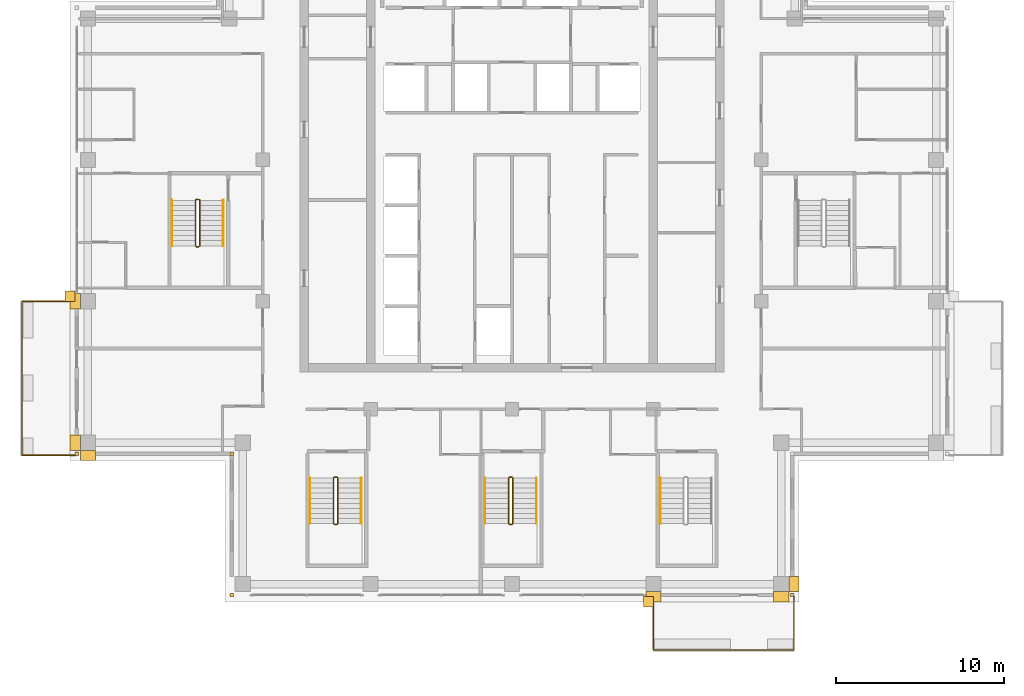
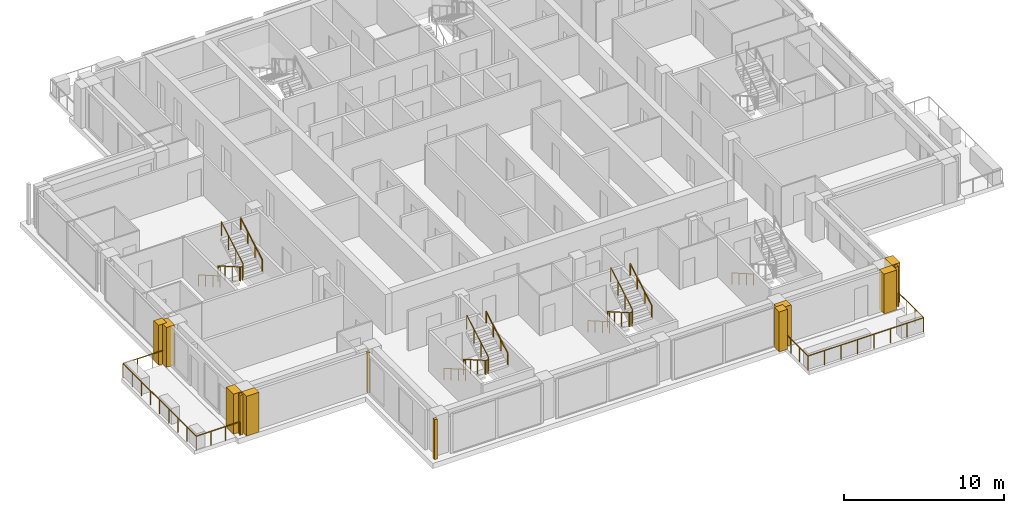
# One storey, part 16 of 18: 12 coverings, 12 railings.
"""IFC4 building model written with IfcOpenShell, lengths in metres."""

from ifc_helpers import new_model, si_unit, direction, frame, origin, origin_2d, place, context, subcontext, project, spatial, polyline, rectangle, outline, extrude, material, type_object, element, save


model = new_model("IFC4")

# Units and contexts
model_context = context("Model", 3, precision=1e-05, world=origin(), true_north=direction((0.0, 1.0)))
body_context = subcontext(model_context, "Body", "Model", "MODEL_VIEW")
ifc_project = project(units=[si_unit("LENGTHUNIT", "METRE"), si_unit("AREAUNIT", "SQUARE_METRE"), si_unit("VOLUMEUNIT", "CUBIC_METRE"), si_unit("PLANEANGLEUNIT", "RADIAN"), si_unit("MASSUNIT", "GRAM", prefix="KILO")], contexts=[model_context])

# Site, building, storey
site_placement = place(None, origin())
site = spatial("IfcSite", under=ifc_project, at=site_placement, CompositionType="ELEMENT")
building_placement = place(site_placement, origin())
building = spatial("IfcBuilding", under=site, at=building_placement, Name="Vermilion Ogive Tower", CompositionType="ELEMENT")
storey_placement = place(building_placement, frame((0.0, 0.0, 230.35009765625)))
storey = spatial("IfcBuildingStorey", under=building, at=storey_placement, Name="L60", CompositionType="ELEMENT", Elevation=230.35009765625)

# Railings
ifc_material_1 = material(Name="Stainless steel and glass", Category="steel")
railing_type_1 = type_object("IfcRailingType", Name="Balcony guard", PredefinedType="GUARDRAIL", material=ifc_material_1)
railing_1_placement = place(storey_placement, frame((8.39990234375, -21.75, -0.0400390625)))
element("IfcRailing", 1, at=railing_1_placement, inside=storey, type_object=railing_type_1, Name="Guard S04", PredefinedType="GUARDRAIL", context=body_context, shape_type="SweptSolid", body=[
    extrude(rectangle(XDim=0.048095703125, YDim=0.048095703125, at=origin_2d()), frame((0.0, 0.0, 1.076171875), z_axis=(0.0, -1.0, 0.0), x_axis=(1.0, 0.0, 0.0)), (0.0, 0.0, 1.0), 3.159912109375),
    extrude(rectangle(XDim=0.048095703125, YDim=0.048095703125, at=origin_2d()), frame((0.0, -3.159912109375, 1.076171875), z_axis=(1.0, 0.0, 0.0), x_axis=(0.0, 1.0, 0.0)), (0.0, 0.0, 1.0), 8.35009765625),
    extrude(rectangle(XDim=0.048095703125, YDim=0.048095703125, at=origin_2d()), frame((8.35009765625, -3.159912109375, 1.076171875), z_axis=(0.0, 1.0, 0.0), x_axis=(-1.0, 0.0, 0.0)), (0.0, 0.0, 1.0), 3.159912109375),
    extrude(rectangle(XDim=0.0419921875, YDim=0.0419921875, at=origin_2d()), origin(), (0.0, 0.0, 1.0), 1.052001953125),
    extrude(rectangle(XDim=0.0419921875, YDim=0.0419921875, at=origin_2d()), frame((0.0, -1.05322265625, 0.0)), (0.0, 0.0, 1.0), 1.052001953125),
    extrude(rectangle(XDim=0.0419921875, YDim=0.0419921875, at=origin_2d()), frame((0.0, -2.106689453125, 0.0)), (0.0, 0.0, 1.0), 1.052001953125),
    extrude(rectangle(XDim=0.0419921875, YDim=0.0419921875, at=origin_2d()), frame((0.0, -3.159912109375, 0.0)), (0.0, 0.0, 1.0), 1.052001953125),
    extrude(rectangle(XDim=0.0419921875, YDim=0.0419921875, at=origin_2d()), frame((1.19287109375, -3.159912109375, 0.0)), (0.0, 0.0, 1.0), 1.052001953125),
    extrude(rectangle(XDim=0.0419921875, YDim=0.0419921875, at=origin_2d()), frame((2.3857421875, -3.159912109375, 0.0)), (0.0, 0.0, 1.0), 1.052001953125),
    extrude(rectangle(XDim=0.0419921875, YDim=0.0419921875, at=origin_2d()), frame((3.57861328125, -3.159912109375, 0.0)), (0.0, 0.0, 1.0), 1.052001953125),
    extrude(rectangle(XDim=0.0419921875, YDim=0.0419921875, at=origin_2d()), frame((4.771484375, -3.159912109375, 0.0)), (0.0, 0.0, 1.0), 1.052001953125),
    extrude(rectangle(XDim=0.0419921875, YDim=0.0419921875, at=origin_2d()), frame((5.96435546875, -3.159912109375, 0.0)), (0.0, 0.0, 1.0), 1.052001953125),
    extrude(rectangle(XDim=0.0419921875, YDim=0.0419921875, at=origin_2d()), frame((7.1572265625, -3.159912109375, 0.0)), (0.0, 0.0, 1.0), 1.052001953125),
    extrude(rectangle(XDim=0.0419921875, YDim=0.0419921875, at=origin_2d()), frame((8.35009765625, -3.159912109375, 0.0)), (0.0, 0.0, 1.0), 1.052001953125),
    extrude(rectangle(XDim=0.0419921875, YDim=0.0419921875, at=origin_2d()), frame((8.35009765625, -2.106689453125, 0.0)), (0.0, 0.0, 1.0), 1.052001953125),
    extrude(rectangle(XDim=0.0419921875, YDim=0.0419921875, at=origin_2d()), frame((8.35009765625, -1.05322265625, 0.0)), (0.0, 0.0, 1.0), 1.052001953125),
    extrude(rectangle(XDim=0.0419921875, YDim=0.0419921875, at=origin_2d()), frame((8.35009765625, 0.0, 0.0)), (0.0, 0.0, 1.0), 1.052001953125),
])
railing_2_placement = place(storey_placement, frame((-25.949951171875, -4.199951171875, -0.0400390625)))
element("IfcRailing", 2, at=railing_2_placement, inside=storey, type_object=railing_type_1, Name="Guard W03", PredefinedType="GUARDRAIL", context=body_context, shape_type="SweptSolid", body=[
    extrude(rectangle(XDim=0.048095703125, YDim=0.048095703125, at=origin_2d()), frame((0.0, 0.0, 1.076171875), z_axis=(-1.0, 0.0, 0.0), x_axis=(0.0, -1.0, 0.0)), (0.0, 0.0, 1.0), 3.16015625),
    extrude(rectangle(XDim=0.048095703125, YDim=0.048095703125, at=origin_2d()), frame((-3.16015625, 0.0, 1.076171875), z_axis=(0.0, -1.0, 0.0), x_axis=(1.0, 0.0, 0.0)), (0.0, 0.0, 1.0), 9.150146484375),
    extrude(rectangle(XDim=0.048095703125, YDim=0.048095703125, at=origin_2d()), frame((-3.16015625, -9.150146484375, 1.076171875), z_axis=(1.0, 0.0, 0.0), x_axis=(0.0, 1.0, 0.0)), (0.0, 0.0, 1.0), 3.16015625),
    extrude(rectangle(XDim=0.0419921875, YDim=0.0419921875, at=origin_2d()), origin(), (0.0, 0.0, 1.0), 1.052001953125),
    extrude(rectangle(XDim=0.0419921875, YDim=0.0419921875, at=origin_2d()), frame((-1.053466796875, 0.0, 0.0)), (0.0, 0.0, 1.0), 1.052001953125),
    extrude(rectangle(XDim=0.0419921875, YDim=0.0419921875, at=origin_2d()), frame((-2.106689453125, 0.0, 0.0)), (0.0, 0.0, 1.0), 1.052001953125),
    extrude(rectangle(XDim=0.0419921875, YDim=0.0419921875, at=origin_2d()), frame((-3.16015625, 0.0, 0.0)), (0.0, 0.0, 1.0), 1.052001953125),
    extrude(rectangle(XDim=0.0419921875, YDim=0.0419921875, at=origin_2d()), frame((-3.16015625, -1.143798828125, 0.0)), (0.0, 0.0, 1.0), 1.052001953125),
    extrude(rectangle(XDim=0.0419921875, YDim=0.0419921875, at=origin_2d()), frame((-3.16015625, -2.28759765625, 0.0)), (0.0, 0.0, 1.0), 1.052001953125),
    extrude(rectangle(XDim=0.0419921875, YDim=0.0419921875, at=origin_2d()), frame((-3.16015625, -3.431396484375, 0.0)), (0.0, 0.0, 1.0), 1.052001953125),
    extrude(rectangle(XDim=0.0419921875, YDim=0.0419921875, at=origin_2d()), frame((-3.16015625, -4.5751953125, 0.0)), (0.0, 0.0, 1.0), 1.052001953125),
    extrude(rectangle(XDim=0.0419921875, YDim=0.0419921875, at=origin_2d()), frame((-3.16015625, -5.71875, 0.0)), (0.0, 0.0, 1.0), 1.052001953125),
    extrude(rectangle(XDim=0.0419921875, YDim=0.0419921875, at=origin_2d()), frame((-3.16015625, -6.862548828125, 0.0)), (0.0, 0.0, 1.0), 1.052001953125),
    extrude(rectangle(XDim=0.0419921875, YDim=0.0419921875, at=origin_2d()), frame((-3.16015625, -8.00634765625, 0.0)), (0.0, 0.0, 1.0), 1.052001953125),
    extrude(rectangle(XDim=0.0419921875, YDim=0.0419921875, at=origin_2d()), frame((-3.16015625, -9.150146484375, 0.0)), (0.0, 0.0, 1.0), 1.052001953125),
    extrude(rectangle(XDim=0.0419921875, YDim=0.0419921875, at=origin_2d()), frame((-2.106689453125, -9.150146484375, 0.0)), (0.0, 0.0, 1.0), 1.052001953125),
    extrude(rectangle(XDim=0.0419921875, YDim=0.0419921875, at=origin_2d()), frame((-1.053466796875, -9.150146484375, 0.0)), (0.0, 0.0, 1.0), 1.052001953125),
    extrude(rectangle(XDim=0.0419921875, YDim=0.0419921875, at=origin_2d()), frame((0.0, -9.150146484375, 0.0)), (0.0, 0.0, 1.0), 1.052001953125),
])
ifc_material_2 = material(Name="Steel S355 painted", Category="steel")
railing_type_2 = type_object("IfcRailingType", Name="Stair guard 1100", PredefinedType="GUARDRAIL", material=ifc_material_2)
railing_3_placement = place(storey_placement, frame((-10.39990234375, -14.64990234375, 0.0)))
element("IfcRailing", 3, at=railing_3_placement, inside=storey, type_object=railing_type_2, Name="L60 ST3 stair guard 4", PredefinedType="GUARDRAIL", context=body_context, shape_type="SweptSolid", body=[
    extrude(rectangle(XDim=0.048095703125, YDim=0.048095703125, at=origin_2d()), frame((0.0, 0.0, 1.076171875), z_axis=(-1.0, 0.0, 0.0), x_axis=(0.0, -1.0, 0.0)), (0.0, 0.0, 1.0), 0.150146484375),
    extrude(rectangle(XDim=0.048095703125, YDim=0.048095703125, at=origin_2d()), frame((-0.150146484375, 0.0, 1.076171875), z_axis=(-0.268603158521, -0.268603158521, 0.925043072762), x_axis=(0.707106781187, -0.707106781187, 0.0)), (0.0, 0.0, 1.0), 0.186279296875),
    extrude(rectangle(XDim=0.048095703125, YDim=0.048095703125, at=origin_2d()), frame((-0.2001953125, -0.050048828125, 1.24853515625), z_axis=(0.0, -0.866903762492, 0.498475542607), x_axis=(1.0, 0.0, 0.0)), (0.0, 0.0, 1.0), 3.114501953125),
    extrude(rectangle(XDim=0.048095703125, YDim=0.048095703125, at=origin_2d()), frame((-0.2001953125, -2.75, 2.80078125), z_axis=(0.707106781187, -0.707106781187, 0.0), x_axis=(0.707106781187, 0.707106781187, 0.0)), (0.0, 0.0, 1.0), 0.07080078125),
    extrude(rectangle(XDim=0.048095703125, YDim=0.048095703125, at=origin_2d()), frame((-0.150146484375, -2.800048828125, 2.80078125), z_axis=(1.0, 0.0, 0.0), x_axis=(0.0, 1.0, 0.0)), (0.0, 0.0, 1.0), 0.150146484375),
    extrude(rectangle(XDim=0.048095703125, YDim=0.048095703125, at=origin_2d()), frame((0.0, -2.800048828125, 2.80078125), z_axis=(0.267062837333, 0.268371968888, 0.925556009775), x_axis=(-0.708833529934, 0.705375805398, 0.0)), (0.0, 0.0, 1.0), 0.1865234375),
    extrude(rectangle(XDim=0.048095703125, YDim=0.048095703125, at=origin_2d()), frame((0.0498046875, -2.75, 2.9736328125), z_axis=(0.0, 0.866903762492, 0.498475542607), x_axis=(-1.0, 0.0, 0.0)), (0.0, 0.0, 1.0), 3.114501953125),
    extrude(rectangle(XDim=0.0419921875, YDim=0.0419921875, at=origin_2d()), origin(), (0.0, 0.0, 1.0), 1.052001953125),
    extrude(rectangle(XDim=0.0419921875, YDim=0.0419921875, at=origin_2d()), frame((-0.150146484375, 0.0, 0.0)), (0.0, 0.0, 1.0), 1.052001953125),
    extrude(rectangle(XDim=0.0419921875, YDim=0.0419921875, at=origin_2d()), frame((-0.2001953125, -0.050048828125, 0.17236328125)), (0.0, 0.0, 1.0), 1.052001953125),
    extrude(rectangle(XDim=0.0419921875, YDim=0.0419921875, at=origin_2d()), frame((-0.2001953125, -0.949951171875, 0.68994140625)), (0.0, 0.0, 1.0), 1.052001953125),
    extrude(rectangle(XDim=0.0419921875, YDim=0.0419921875, at=origin_2d()), frame((-0.2001953125, -1.85009765625, 1.207275390625)), (0.0, 0.0, 1.0), 1.052001953125),
    extrude(rectangle(XDim=0.0419921875, YDim=0.0419921875, at=origin_2d()), frame((-0.2001953125, -2.75, 1.724853515625)), (0.0, 0.0, 1.0), 1.052001953125),
    extrude(rectangle(XDim=0.0419921875, YDim=0.0419921875, at=origin_2d()), frame((-0.150146484375, -2.800048828125, 1.724853515625)), (0.0, 0.0, 1.0), 1.052001953125),
    extrude(rectangle(XDim=0.0419921875, YDim=0.0419921875, at=origin_2d()), frame((0.0, -2.800048828125, 1.724853515625)), (0.0, 0.0, 1.0), 1.052001953125),
    extrude(rectangle(XDim=0.0419921875, YDim=0.0419921875, at=origin_2d()), frame((0.0498046875, -2.75, 1.8974609375)), (0.0, 0.0, 1.0), 1.052001953125),
    extrude(rectangle(XDim=0.0419921875, YDim=0.0419921875, at=origin_2d()), frame((0.0498046875, -1.85009765625, 2.4150390625)), (0.0, 0.0, 1.0), 1.052001953125),
    extrude(rectangle(XDim=0.0419921875, YDim=0.0419921875, at=origin_2d()), frame((0.0498046875, -0.949951171875, 2.932373046875)), (0.0, 0.0, 1.0), 1.052001953125),
    extrude(rectangle(XDim=0.0419921875, YDim=0.0419921875, at=origin_2d()), frame((0.0498046875, -0.050048828125, 3.449951171875)), (0.0, 0.0, 1.0), 1.052001953125),
])
railing_4_placement = place(storey_placement, frame((0.0, -14.64990234375, 0.0)))
element("IfcRailing", 4, at=railing_4_placement, inside=storey, type_object=railing_type_2, Name="L60 ST4 stair guard 4", PredefinedType="GUARDRAIL", context=body_context, shape_type="SweptSolid", body=[
    extrude(rectangle(XDim=0.048095703125, YDim=0.048095703125, at=origin_2d()), frame((0.0, 0.0, 1.076171875), z_axis=(-1.0, 0.0, 0.0), x_axis=(0.0, -1.0, 0.0)), (0.0, 0.0, 1.0), 0.14990234375),
    extrude(rectangle(XDim=0.048095703125, YDim=0.048095703125, at=origin_2d()), frame((-0.14990234375, 0.0, 1.076171875), z_axis=(-0.268603158521, -0.268603158521, 0.925043072762), x_axis=(0.707106781187, -0.707106781187, 0.0)), (0.0, 0.0, 1.0), 0.186279296875),
    extrude(rectangle(XDim=0.048095703125, YDim=0.048095703125, at=origin_2d()), frame((-0.199951171875, -0.050048828125, 1.24853515625), z_axis=(0.0, -0.866903762492, 0.498475542607), x_axis=(1.0, 0.0, 0.0)), (0.0, 0.0, 1.0), 3.114501953125),
    extrude(rectangle(XDim=0.048095703125, YDim=0.048095703125, at=origin_2d()), frame((-0.199951171875, -2.75, 2.80078125), z_axis=(0.707106781187, -0.707106781187, 0.0), x_axis=(0.707106781187, 0.707106781187, 0.0)), (0.0, 0.0, 1.0), 0.07080078125),
    extrude(rectangle(XDim=0.048095703125, YDim=0.048095703125, at=origin_2d()), frame((-0.14990234375, -2.800048828125, 2.80078125), z_axis=(1.0, 0.0, 0.0), x_axis=(0.0, 1.0, 0.0)), (0.0, 0.0, 1.0), 0.14990234375),
    extrude(rectangle(XDim=0.048095703125, YDim=0.048095703125, at=origin_2d()), frame((0.0, -2.800048828125, 2.80078125), z_axis=(0.268277960024, 0.268277960024, 0.925231793839), x_axis=(-0.707106781187, 0.707106781187, 0.0)), (0.0, 0.0, 1.0), 0.1865234375),
    extrude(rectangle(XDim=0.048095703125, YDim=0.048095703125, at=origin_2d()), frame((0.050048828125, -2.75, 2.9736328125), z_axis=(0.0, 0.866903762492, 0.498475542607), x_axis=(-1.0, 0.0, 0.0)), (0.0, 0.0, 1.0), 3.114501953125),
    extrude(rectangle(XDim=0.0419921875, YDim=0.0419921875, at=origin_2d()), origin(), (0.0, 0.0, 1.0), 1.052001953125),
    extrude(rectangle(XDim=0.0419921875, YDim=0.0419921875, at=origin_2d()), frame((-0.14990234375, 0.0, 0.0)), (0.0, 0.0, 1.0), 1.052001953125),
    extrude(rectangle(XDim=0.0419921875, YDim=0.0419921875, at=origin_2d()), frame((-0.199951171875, -0.050048828125, 0.17236328125)), (0.0, 0.0, 1.0), 1.052001953125),
    extrude(rectangle(XDim=0.0419921875, YDim=0.0419921875, at=origin_2d()), frame((-0.199951171875, -0.949951171875, 0.68994140625)), (0.0, 0.0, 1.0), 1.052001953125),
    extrude(rectangle(XDim=0.0419921875, YDim=0.0419921875, at=origin_2d()), frame((-0.199951171875, -1.85009765625, 1.207275390625)), (0.0, 0.0, 1.0), 1.052001953125),
    extrude(rectangle(XDim=0.0419921875, YDim=0.0419921875, at=origin_2d()), frame((-0.199951171875, -2.75, 1.724853515625)), (0.0, 0.0, 1.0), 1.052001953125),
    extrude(rectangle(XDim=0.0419921875, YDim=0.0419921875, at=origin_2d()), frame((-0.14990234375, -2.800048828125, 1.724853515625)), (0.0, 0.0, 1.0), 1.052001953125),
    extrude(rectangle(XDim=0.0419921875, YDim=0.0419921875, at=origin_2d()), frame((0.0, -2.800048828125, 1.724853515625)), (0.0, 0.0, 1.0), 1.052001953125),
    extrude(rectangle(XDim=0.0419921875, YDim=0.0419921875, at=origin_2d()), frame((0.050048828125, -2.75, 1.8974609375)), (0.0, 0.0, 1.0), 1.052001953125),
    extrude(rectangle(XDim=0.0419921875, YDim=0.0419921875, at=origin_2d()), frame((0.050048828125, -1.85009765625, 2.4150390625)), (0.0, 0.0, 1.0), 1.052001953125),
    extrude(rectangle(XDim=0.0419921875, YDim=0.0419921875, at=origin_2d()), frame((0.050048828125, -0.949951171875, 2.932373046875)), (0.0, 0.0, 1.0), 1.052001953125),
    extrude(rectangle(XDim=0.0419921875, YDim=0.0419921875, at=origin_2d()), frame((0.050048828125, -0.050048828125, 3.449951171875)), (0.0, 0.0, 1.0), 1.052001953125),
])
railing_5_placement = place(storey_placement, frame((-18.60009765625, 1.85009765625, 0.0)))
element("IfcRailing", 5, at=railing_5_placement, inside=storey, type_object=railing_type_2, Name="L60 ST9 stair guard 4", PredefinedType="GUARDRAIL", context=body_context, shape_type="SweptSolid", body=[
    extrude(rectangle(XDim=0.048095703125, YDim=0.048095703125, at=origin_2d()), frame((0.0, 0.0, 1.076171875), z_axis=(-1.0, 0.0, 0.0), x_axis=(0.0, -1.0, 0.0)), (0.0, 0.0, 1.0), 0.14990234375),
    extrude(rectangle(XDim=0.048095703125, YDim=0.048095703125, at=origin_2d()), frame((-0.14990234375, 0.0, 1.076171875), z_axis=(-0.268603158521, -0.268603158521, 0.925043072762), x_axis=(0.707106781187, -0.707106781187, 0.0)), (0.0, 0.0, 1.0), 0.186279296875),
    extrude(rectangle(XDim=0.048095703125, YDim=0.048095703125, at=origin_2d()), frame((-0.199951171875, -0.050048828125, 1.24853515625), z_axis=(0.0, -0.866903762492, 0.498475542607), x_axis=(1.0, 0.0, 0.0)), (0.0, 0.0, 1.0), 3.114501953125),
    extrude(rectangle(XDim=0.048095703125, YDim=0.048095703125, at=origin_2d()), frame((-0.199951171875, -2.75, 2.80078125), z_axis=(0.707106781187, -0.707106781187, 0.0), x_axis=(0.707106781187, 0.707106781187, 0.0)), (0.0, 0.0, 1.0), 0.07080078125),
    extrude(rectangle(XDim=0.048095703125, YDim=0.048095703125, at=origin_2d()), frame((-0.14990234375, -2.800048828125, 2.80078125), z_axis=(1.0, 0.0, 0.0), x_axis=(0.0, 1.0, 0.0)), (0.0, 0.0, 1.0), 0.14990234375),
    extrude(rectangle(XDim=0.048095703125, YDim=0.048095703125, at=origin_2d()), frame((0.0, -2.800048828125, 2.80078125), z_axis=(0.268277960024, 0.268277960024, 0.925231793839), x_axis=(-0.707106781187, 0.707106781187, 0.0)), (0.0, 0.0, 1.0), 0.1865234375),
    extrude(rectangle(XDim=0.048095703125, YDim=0.048095703125, at=origin_2d()), frame((0.050048828125, -2.75, 2.9736328125), z_axis=(0.0, 0.866903762492, 0.498475542607), x_axis=(-1.0, 0.0, 0.0)), (0.0, 0.0, 1.0), 3.114501953125),
    extrude(rectangle(XDim=0.0419921875, YDim=0.0419921875, at=origin_2d()), origin(), (0.0, 0.0, 1.0), 1.052001953125),
    extrude(rectangle(XDim=0.0419921875, YDim=0.0419921875, at=origin_2d()), frame((-0.14990234375, 0.0, 0.0)), (0.0, 0.0, 1.0), 1.052001953125),
    extrude(rectangle(XDim=0.0419921875, YDim=0.0419921875, at=origin_2d()), frame((-0.199951171875, -0.050048828125, 0.17236328125)), (0.0, 0.0, 1.0), 1.052001953125),
    extrude(rectangle(XDim=0.0419921875, YDim=0.0419921875, at=origin_2d()), frame((-0.199951171875, -0.949951171875, 0.68994140625)), (0.0, 0.0, 1.0), 1.052001953125),
    extrude(rectangle(XDim=0.0419921875, YDim=0.0419921875, at=origin_2d()), frame((-0.199951171875, -1.85009765625, 1.207275390625)), (0.0, 0.0, 1.0), 1.052001953125),
    extrude(rectangle(XDim=0.0419921875, YDim=0.0419921875, at=origin_2d()), frame((-0.199951171875, -2.75, 1.724853515625)), (0.0, 0.0, 1.0), 1.052001953125),
    extrude(rectangle(XDim=0.0419921875, YDim=0.0419921875, at=origin_2d()), frame((-0.14990234375, -2.800048828125, 1.724853515625)), (0.0, 0.0, 1.0), 1.052001953125),
    extrude(rectangle(XDim=0.0419921875, YDim=0.0419921875, at=origin_2d()), frame((0.0, -2.800048828125, 1.724853515625)), (0.0, 0.0, 1.0), 1.052001953125),
    extrude(rectangle(XDim=0.0419921875, YDim=0.0419921875, at=origin_2d()), frame((0.050048828125, -2.75, 1.8974609375)), (0.0, 0.0, 1.0), 1.052001953125),
    extrude(rectangle(XDim=0.0419921875, YDim=0.0419921875, at=origin_2d()), frame((0.050048828125, -1.85009765625, 2.4150390625)), (0.0, 0.0, 1.0), 1.052001953125),
    extrude(rectangle(XDim=0.0419921875, YDim=0.0419921875, at=origin_2d()), frame((0.050048828125, -0.949951171875, 2.932373046875)), (0.0, 0.0, 1.0), 1.052001953125),
    extrude(rectangle(XDim=0.0419921875, YDim=0.0419921875, at=origin_2d()), frame((0.050048828125, -0.050048828125, 3.449951171875)), (0.0, 0.0, 1.0), 1.052001953125),
])
ifc_material_3 = material(Name="Stainless steel", Category="steel")
railing_type_3 = type_object("IfcRailingType", Name="Stair handrail 900", PredefinedType="HANDRAIL", material=ifc_material_3)
railing_6_placement = place(storey_placement, frame((-12.0, -14.699951171875, 0.17236328125)))
element("IfcRailing", 6, at=railing_6_placement, inside=storey, type_object=railing_type_3, Name="L60 ST3 stair handrail 1", PredefinedType="HANDRAIL", context=body_context, shape_type="SweptSolid", body=[
    extrude(rectangle(XDim=0.048095703125, YDim=0.048095703125, at=origin_2d()), frame((0.0, 0.0, 0.8759765625), z_axis=(0.0, -0.866903762492, 0.498475542607), x_axis=(1.0, 0.0, 0.0)), (0.0, 0.0, 1.0), 3.114501953125),
    extrude(rectangle(XDim=0.0419921875, YDim=0.0419921875, at=origin_2d()), origin(), (0.0, 0.0, 1.0), 0.851806640625),
    extrude(rectangle(XDim=0.0419921875, YDim=0.0419921875, at=origin_2d()), frame((0.0, -0.89990234375, 0.517578125)), (0.0, 0.0, 1.0), 0.851806640625),
    extrude(rectangle(XDim=0.0419921875, YDim=0.0419921875, at=origin_2d()), frame((0.0, -1.800048828125, 1.034912109375)), (0.0, 0.0, 1.0), 0.851806640625),
    extrude(rectangle(XDim=0.0419921875, YDim=0.0419921875, at=origin_2d()), frame((0.0, -2.699951171875, 1.552490234375)), (0.0, 0.0, 1.0), 0.851806640625),
])
railing_7_placement = place(storey_placement, frame((-8.949951171875, -17.39990234375, 1.8974609375)))
element("IfcRailing", 7, at=railing_7_placement, inside=storey, type_object=railing_type_3, Name="L60 ST3 stair handrail 2", PredefinedType="HANDRAIL", context=body_context, shape_type="SweptSolid", body=[
    extrude(rectangle(XDim=0.048095703125, YDim=0.048095703125, at=origin_2d()), frame((0.0, 0.0, 0.8759765625), z_axis=(0.0, 0.866903762492, 0.498475542607), x_axis=(-1.0, 0.0, 0.0)), (0.0, 0.0, 1.0), 3.114501953125),
    extrude(rectangle(XDim=0.0419921875, YDim=0.0419921875, at=origin_2d()), origin(), (0.0, 0.0, 1.0), 0.851806640625),
    extrude(rectangle(XDim=0.0419921875, YDim=0.0419921875, at=origin_2d()), frame((0.0, 0.89990234375, 0.517578125)), (0.0, 0.0, 1.0), 0.851806640625),
    extrude(rectangle(XDim=0.0419921875, YDim=0.0419921875, at=origin_2d()), frame((0.0, 1.800048828125, 1.034912109375)), (0.0, 0.0, 1.0), 0.851806640625),
    extrude(rectangle(XDim=0.0419921875, YDim=0.0419921875, at=origin_2d()), frame((0.0, 2.699951171875, 1.552490234375)), (0.0, 0.0, 1.0), 0.851806640625),
])
railing_8_placement = place(storey_placement, frame((-1.60009765625, -14.699951171875, 0.17236328125)))
element("IfcRailing", 8, at=railing_8_placement, inside=storey, type_object=railing_type_3, Name="L60 ST4 stair handrail 1", PredefinedType="HANDRAIL", context=body_context, shape_type="SweptSolid", body=[
    extrude(rectangle(XDim=0.048095703125, YDim=0.048095703125, at=origin_2d()), frame((0.0, 0.0, 0.8759765625), z_axis=(0.0, -0.866903762492, 0.498475542607), x_axis=(1.0, 0.0, 0.0)), (0.0, 0.0, 1.0), 3.114501953125),
    extrude(rectangle(XDim=0.0419921875, YDim=0.0419921875, at=origin_2d()), origin(), (0.0, 0.0, 1.0), 0.851806640625),
    extrude(rectangle(XDim=0.0419921875, YDim=0.0419921875, at=origin_2d()), frame((0.0, -0.89990234375, 0.517578125)), (0.0, 0.0, 1.0), 0.851806640625),
    extrude(rectangle(XDim=0.0419921875, YDim=0.0419921875, at=origin_2d()), frame((0.0, -1.800048828125, 1.034912109375)), (0.0, 0.0, 1.0), 0.851806640625),
    extrude(rectangle(XDim=0.0419921875, YDim=0.0419921875, at=origin_2d()), frame((0.0, -2.699951171875, 1.552490234375)), (0.0, 0.0, 1.0), 0.851806640625),
])
railing_9_placement = place(storey_placement, frame((1.449951171875, -17.39990234375, 1.8974609375)))
element("IfcRailing", 9, at=railing_9_placement, inside=storey, type_object=railing_type_3, Name="L60 ST4 stair handrail 2", PredefinedType="HANDRAIL", context=body_context, shape_type="SweptSolid", body=[
    extrude(rectangle(XDim=0.048095703125, YDim=0.048095703125, at=origin_2d()), frame((0.0, 0.0, 0.8759765625), z_axis=(0.0, 0.866903762492, 0.498475542607), x_axis=(-1.0, 0.0, 0.0)), (0.0, 0.0, 1.0), 3.114501953125),
    extrude(rectangle(XDim=0.0419921875, YDim=0.0419921875, at=origin_2d()), origin(), (0.0, 0.0, 1.0), 0.851806640625),
    extrude(rectangle(XDim=0.0419921875, YDim=0.0419921875, at=origin_2d()), frame((0.0, 0.89990234375, 0.517578125)), (0.0, 0.0, 1.0), 0.851806640625),
    extrude(rectangle(XDim=0.0419921875, YDim=0.0419921875, at=origin_2d()), frame((0.0, 1.800048828125, 1.034912109375)), (0.0, 0.0, 1.0), 0.851806640625),
    extrude(rectangle(XDim=0.0419921875, YDim=0.0419921875, at=origin_2d()), frame((0.0, 2.699951171875, 1.552490234375)), (0.0, 0.0, 1.0), 0.851806640625),
])
for number, where, name in (
    (10, (8.800048828125, -14.699951171875, 0.17236328125), "L60 ST5 stair handrail 1"),
    (11, (-20.199951171875, 1.800048828125, 0.17236328125), "L60 ST9 stair handrail 1"),
):
    element("IfcRailing", number, at=place(storey_placement, frame(where)), inside=storey, type_object=railing_type_3, Name=name, PredefinedType="HANDRAIL", context=body_context, shape_type="SweptSolid", body=[
        extrude(rectangle(XDim=0.048095703125, YDim=0.048095703125, at=origin_2d()), frame((0.0, 0.0, 0.8759765625), z_axis=(0.0, -0.866903762492, 0.498475542607), x_axis=(1.0, 0.0, 0.0)), (0.0, 0.0, 1.0), 3.114501953125),
        extrude(rectangle(XDim=0.0419921875, YDim=0.0419921875, at=origin_2d()), origin(), (0.0, 0.0, 1.0), 0.851806640625),
        extrude(rectangle(XDim=0.0419921875, YDim=0.0419921875, at=origin_2d()), frame((0.0, -0.89990234375, 0.517578125)), (0.0, 0.0, 1.0), 0.851806640625),
        extrude(rectangle(XDim=0.0419921875, YDim=0.0419921875, at=origin_2d()), frame((0.0, -1.800048828125, 1.034912109375)), (0.0, 0.0, 1.0), 0.851806640625),
        extrude(rectangle(XDim=0.0419921875, YDim=0.0419921875, at=origin_2d()), frame((0.0, -2.699951171875, 1.552490234375)), (0.0, 0.0, 1.0), 0.851806640625),
    ])
railing_10_placement = place(storey_placement, frame((-17.14990234375, -0.89990234375, 1.8974609375)))
element("IfcRailing", 12, at=railing_10_placement, inside=storey, type_object=railing_type_3, Name="L60 ST9 stair handrail 2", PredefinedType="HANDRAIL", context=body_context, shape_type="SweptSolid", body=[
    extrude(rectangle(XDim=0.048095703125, YDim=0.048095703125, at=origin_2d()), frame((0.0, 0.0, 0.8759765625), z_axis=(0.0, 0.866903762492, 0.498475542607), x_axis=(-1.0, 0.0, 0.0)), (0.0, 0.0, 1.0), 3.114501953125),
    extrude(rectangle(XDim=0.0419921875, YDim=0.0419921875, at=origin_2d()), origin(), (0.0, 0.0, 1.0), 0.851806640625),
    extrude(rectangle(XDim=0.0419921875, YDim=0.0419921875, at=origin_2d()), frame((0.0, 0.89990234375, 0.517578125)), (0.0, 0.0, 1.0), 0.851806640625),
    extrude(rectangle(XDim=0.0419921875, YDim=0.0419921875, at=origin_2d()), frame((0.0, 1.800048828125, 1.034912109375)), (0.0, 0.0, 1.0), 0.851806640625),
    extrude(rectangle(XDim=0.0419921875, YDim=0.0419921875, at=origin_2d()), frame((0.0, 2.699951171875, 1.552490234375)), (0.0, 0.0, 1.0), 0.851806640625),
])

# Coverings
ifc_material_4 = material(Name="Stone cladding", Category="masonry")
covering_type_1 = type_object("IfcCoveringType", Name="Stone corner buttress", PredefinedType="CLADDING", material=ifc_material_4)
covering_1_placement = place(storey_placement, origin())
element("IfcCovering", 13, at=covering_1_placement, inside=storey, type_object=covering_type_1, Name="Stone crease pier SK", PredefinedType="CLADDING", context=body_context, shape_type="SweptSolid", body=[
    extrude(outline(polyline([(7.800048828125, -22.35009765625), (8.39990234375, -22.35009765625), (8.39990234375, -21.75), (7.800048828125, -21.75), (7.800048828125, -22.35009765625)])), origin(), (0.0, 0.0, 1.0), 3.0498046875),
])
covering_2_placement = place(storey_placement, origin())
element("IfcCovering", 14, at=covering_2_placement, inside=storey, type_object=covering_type_1, Name="Stone crease pier WK", PredefinedType="CLADDING", context=body_context, shape_type="SweptSolid", body=[
    extrude(outline(polyline([(-26.550048828125, -3.60009765625), (-26.550048828125, -4.199951171875), (-25.949951171875, -4.199951171875), (-25.949951171875, -3.60009765625), (-26.550048828125, -3.60009765625)])), origin(), (0.0, 0.0, 1.0), 3.0498046875),
])
ifc_material_5 = material(Name="Stone cladding", Category="masonry")
covering_type_2 = type_object("IfcCoveringType", Name="Stone pier", PredefinedType="CLADDING", material=ifc_material_5)
covering_3_placement = place(storey_placement, origin())
element("IfcCovering", 15, at=covering_3_placement, inside=storey, type_object=covering_type_2, Name="Stone corner pier SE1", PredefinedType="CLADDING", context=body_context, shape_type="SweptSolid", body=[
    extrude(outline(polyline([(16.550048828125, -21.550048828125), (16.75, -21.550048828125), (16.75, -21.75), (16.550048828125, -21.75), (16.550048828125, -21.550048828125)])), origin(), (0.0, 0.0, 1.0), 3.0498046875),
])
covering_4_placement = place(storey_placement, origin())
element("IfcCovering", 16, at=covering_4_placement, inside=storey, type_object=covering_type_2, Name="Stone corner pier WE1", PredefinedType="CLADDING", context=body_context, shape_type="SweptSolid", body=[
    extrude(outline(polyline([(-25.75, -13.14990234375), (-25.75, -13.35009765625), (-25.949951171875, -13.35009765625), (-25.949951171875, -13.14990234375), (-25.75, -13.14990234375)])), origin(), (0.0, 0.0, 1.0), 3.0498046875),
])
covering_5_placement = place(storey_placement, origin())
element("IfcCovering", 17, at=covering_5_placement, inside=storey, type_object=covering_type_2, Name="Stone corner pier X7E1", PredefinedType="CLADDING", context=body_context, shape_type="SweptSolid", body=[
    extrude(outline(polyline([(-16.550048828125, -13.14990234375), (-16.550048828125, -13.35009765625), (-16.75, -13.35009765625), (-16.75, -13.14990234375), (-16.550048828125, -13.14990234375)])), origin(), (0.0, 0.0, 1.0), 3.0498046875),
])
covering_6_placement = place(storey_placement, origin())
element("IfcCovering", 18, at=covering_6_placement, inside=storey, type_object=covering_type_2, Name="Stone corner pier X8E1", PredefinedType="CLADDING", context=body_context, shape_type="SweptSolid", body=[
    extrude(outline(polyline([(-16.550048828125, -21.550048828125), (-16.550048828125, -21.75), (-16.75, -21.75), (-16.75, -21.550048828125), (-16.550048828125, -21.550048828125)])), origin(), (0.0, 0.0, 1.0), 3.0498046875),
])
covering_7_placement = place(storey_placement, origin())
element("IfcCovering", 19, at=covering_7_placement, inside=storey, type_object=covering_type_2, Name="Stone pier P+0084-210", PredefinedType="CLADDING", context=body_context, shape_type="SweptSolid", body=[
    extrude(outline(polyline([(8.85009765625, -21.449951171875), (8.85009765625, -22.050048828125), (8.39990234375, -22.050048828125), (8.39990234375, -21.75), (7.949951171875, -21.75), (7.949951171875, -21.449951171875), (7.949951171875, -21.449951171875), (8.85009765625, -21.449951171875)])), origin(), (0.0, 0.0, 1.0), 3.0498046875),
])
covering_8_placement = place(storey_placement, origin())
element("IfcCovering", 20, at=covering_8_placement, inside=storey, type_object=covering_type_2, Name="Stone pier P+0160-210S", PredefinedType="CLADDING", context=body_context, shape_type="SweptSolid", body=[
    extrude(outline(polyline([(16.449951171875, -21.449951171875), (16.449951171875, -21.449951171875), (16.449951171875, -22.050048828125), (15.550048828125, -22.050048828125), (15.550048828125, -21.449951171875), (15.550048828125, -21.449951171875), (16.449951171875, -21.449951171875)])), origin(), (0.0, 0.0, 1.0), 3.0498046875),
])
covering_9_placement = place(storey_placement, origin())
element("IfcCovering", 21, at=covering_9_placement, inside=storey, type_object=covering_type_2, Name="Stone pier P+0160-210X1", PredefinedType="CLADDING", context=body_context, shape_type="SweptSolid", body=[
    extrude(outline(polyline([(17.050048828125, -21.449951171875), (16.449951171875, -21.449951171875), (16.449951171875, -21.449951171875), (16.449951171875, -20.550048828125), (17.050048828125, -20.550048828125), (17.050048828125, -21.449951171875)])), origin(), (0.0, 0.0, 1.0), 3.0498046875),
])
covering_10_placement = place(storey_placement, origin())
element("IfcCovering", 22, at=covering_10_placement, inside=storey, type_object=covering_type_2, Name="Stone pier P-0252-042", PredefinedType="CLADDING", context=body_context, shape_type="SweptSolid", body=[
    extrude(outline(polyline([(-26.25, -4.64990234375), (-26.25, -4.199951171875), (-25.949951171875, -4.199951171875), (-25.949951171875, -3.75), (-25.64990234375, -3.75), (-25.64990234375, -4.64990234375), (-26.25, -4.64990234375)])), origin(), (0.0, 0.0, 1.0), 3.0498046875),
])
covering_11_placement = place(storey_placement, origin())
element("IfcCovering", 23, at=covering_11_placement, inside=storey, type_object=covering_type_2, Name="Stone pier P-0252-126W", PredefinedType="CLADDING", context=body_context, shape_type="SweptSolid", body=[
    extrude(outline(polyline([(-26.25, -13.050048828125), (-26.25, -12.14990234375), (-25.64990234375, -12.14990234375), (-25.64990234375, -13.050048828125), (-26.25, -13.050048828125)])), origin(), (0.0, 0.0, 1.0), 3.0498046875),
])
covering_12_placement = place(storey_placement, origin())
element("IfcCovering", 24, at=covering_12_placement, inside=storey, type_object=covering_type_2, Name="Stone pier P-0252-126X7", PredefinedType="CLADDING", context=body_context, shape_type="SweptSolid", body=[
    extrude(outline(polyline([(-25.64990234375, -13.64990234375), (-25.64990234375, -13.050048828125), (-24.75, -13.050048828125), (-24.75, -13.64990234375), (-25.64990234375, -13.64990234375)])), origin(), (0.0, 0.0, 1.0), 3.0498046875),
])

save(model, "model.ifc")
